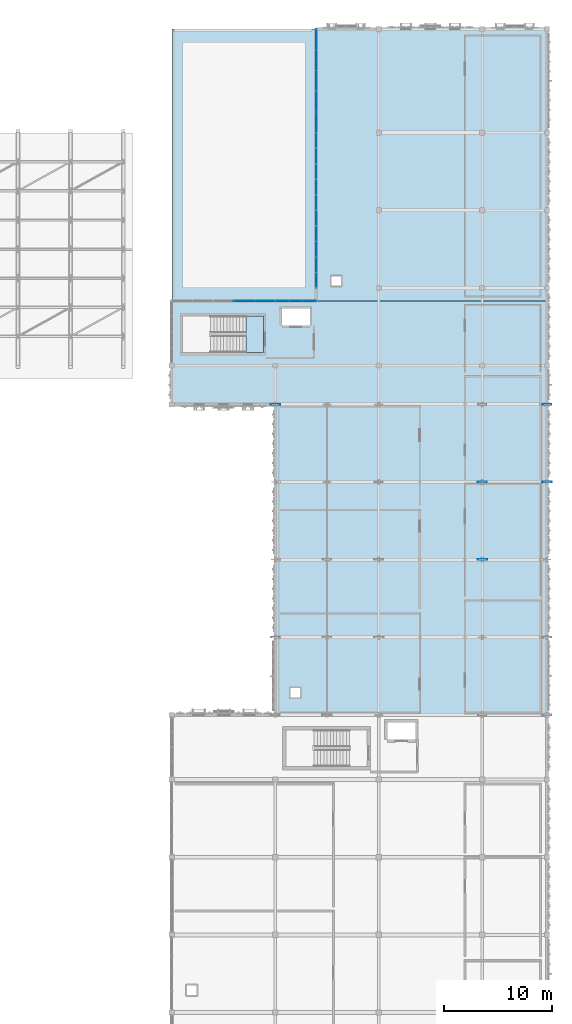
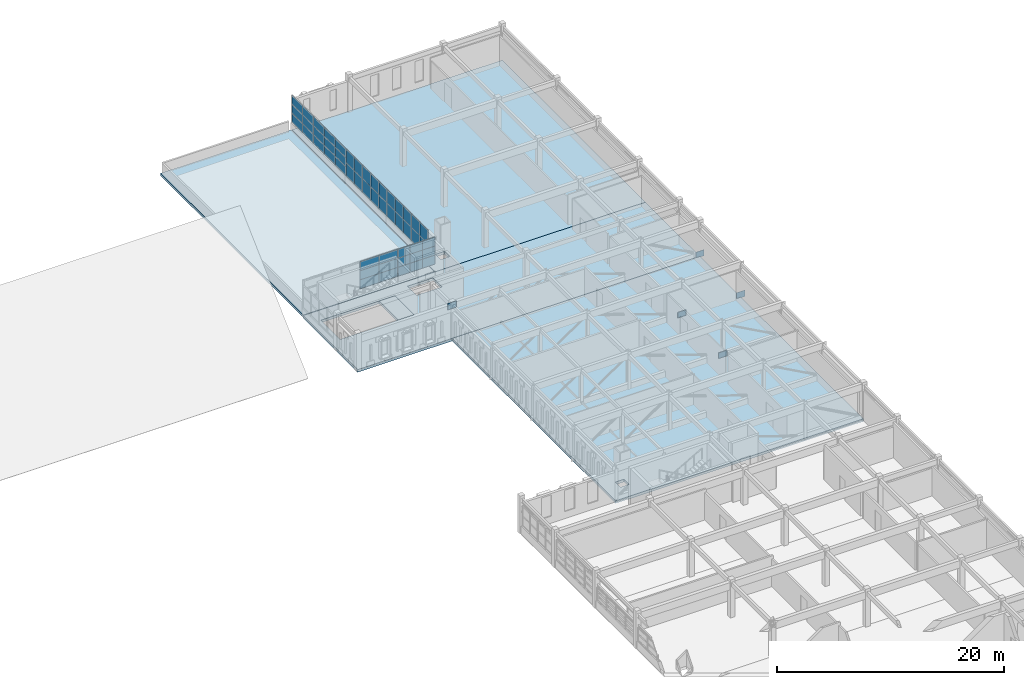
# One storey, part 39 of 79: 55 plates, 5 slabs, 5 elements without a shape of their own.
"""IFC4 building model written with IfcOpenShell, lengths in metres."""

from ifc_helpers import new_model, si_unit, direction, frame, origin, origin_2d, place, context, subcontext, project, spatial, polyline, rectangle, outline, extrude, material, layer, layer_set, type_object, element, aggregate, save


model = new_model("IFC4")

# Units and contexts
model_context = context("Model", 3, precision=1e-05, world=origin(), true_north=direction((0.0, 1.0)))
body_context = subcontext(model_context, "Body", "Model", "MODEL_VIEW")
ifc_project = project(units=[si_unit("LENGTHUNIT", "METRE"), si_unit("AREAUNIT", "SQUARE_METRE"), si_unit("VOLUMEUNIT", "CUBIC_METRE"), si_unit("PLANEANGLEUNIT", "RADIAN"), si_unit("MASSUNIT", "GRAM", prefix="KILO")], contexts=[model_context])

# Site, building, storey
site_placement = place(None, origin())
site = spatial("IfcSite", under=ifc_project, at=site_placement, CompositionType="ELEMENT")
building_placement = place(site_placement, origin())
building = spatial("IfcBuilding", under=site, at=building_placement, Name="Nzembalo Square Collegiate School", CompositionType="ELEMENT")
storey_placement = place(building_placement, frame((0.0, 0.0, 9.52001953125)))
storey = spatial("IfcBuildingStorey", under=building, at=storey_placement, Name="L02", CompositionType="ELEMENT", Elevation=9.52001953125)

# Curtain wall, plates
ifc_material_1 = material(Name="Aluminium 6060-T66", Category="aluminium")
curtain_wall_type_1 = type_object("IfcCurtainWallType", Name="CW-09", PredefinedType="USERDEFINED", material=ifc_material_1)
curtain_wall_1_placement = place(storey_placement, origin())
curtain_wall_1 = element("IfcCurtainWall", 1, at=curtain_wall_1_placement, inside=storey, type_object=curtain_wall_type_1, Name="Curtain wall CW-09 cw:L02:100", ObjectType="UNITISED", PredefinedType="USERDEFINED")
ifc_material_2 = material(Name="Laminated solar-control double glazing", Category="glass")
ifc_layer_1 = layer(ifc_material_2, 0.028076171875, Name="Laminated solar-control double glazing")
ifc_layer_set_1 = layer_set([ifc_layer_1], Name="Laminated solar-control double glazing")
plate_type_1 = type_object("IfcPlateType", Name="PN01", PredefinedType="CURTAIN_PANEL", material=ifc_layer_set_1)
plate_1_placement = place(storey_placement, frame((137.52001953125, 88.800048828125, 0.85400390625), z_axis=(0.0, 0.0, 1.0), x_axis=(1.0, 0.0, 0.0)))
plate_1 = element("IfcPlate", 2, at=plate_1_placement, type_object=plate_type_1, Name="PN01 glazed panel 1-4", PredefinedType="CURTAIN_PANEL", context=body_context, shape_type="SweptSolid", body=[
    extrude(rectangle(XDim=1.912109375, YDim=0.028076171875, at=origin_2d()), origin(), (0.0, 0.0, 1.0), 0.966552734375),
])
plate_2_placement = place(storey_placement, frame((139.43994140625, 88.800048828125, 0.85400390625), z_axis=(0.0, 0.0, 1.0), x_axis=(1.0, 0.0, 0.0)))
plate_2 = element("IfcPlate", 3, at=plate_2_placement, type_object=plate_type_1, Name="PN01 glazed panel 1-5", PredefinedType="CURTAIN_PANEL", context=body_context, shape_type="SweptSolid", body=[
    extrude(rectangle(XDim=1.912109375, YDim=0.028076171875, at=origin_2d()), origin(), (0.0, 0.0, 1.0), 0.966552734375),
])
plate_3_placement = place(storey_placement, frame((137.52001953125, 88.800048828125, 1.82861328125), z_axis=(0.0, 0.0, 1.0), x_axis=(1.0, 0.0, 0.0)))
plate_3 = element("IfcPlate", 4, at=plate_3_placement, type_object=plate_type_1, Name="PN01 glazed panel 2-4", PredefinedType="CURTAIN_PANEL", context=body_context, shape_type="SweptSolid", body=[
    extrude(rectangle(XDim=1.912109375, YDim=0.028076171875, at=origin_2d()), origin(), (0.0, 0.0, 1.0), 0.966552734375),
])
plate_4_placement = place(storey_placement, frame((139.43994140625, 88.800048828125, 1.82861328125), z_axis=(0.0, 0.0, 1.0), x_axis=(1.0, 0.0, 0.0)))
plate_4 = element("IfcPlate", 5, at=plate_4_placement, type_object=plate_type_1, Name="PN01 glazed panel 2-5", PredefinedType="CURTAIN_PANEL", context=body_context, shape_type="SweptSolid", body=[
    extrude(rectangle(XDim=1.912109375, YDim=0.028076171875, at=origin_2d()), origin(), (0.0, 0.0, 1.0), 0.966552734375),
])
plate_5_placement = place(storey_placement, frame((137.52001953125, 88.800048828125, 2.80322265625), z_axis=(0.0, 0.0, 1.0), x_axis=(1.0, 0.0, 0.0)))
plate_5 = element("IfcPlate", 6, at=plate_5_placement, type_object=plate_type_1, Name="PN01 glazed panel 3-4", PredefinedType="CURTAIN_PANEL", context=body_context, shape_type="SweptSolid", body=[
    extrude(rectangle(XDim=1.912109375, YDim=0.028076171875, at=origin_2d()), origin(), (0.0, 0.0, 1.0), 0.966552734375),
])
plate_6_placement = place(storey_placement, frame((139.43994140625, 88.800048828125, 2.80322265625), z_axis=(0.0, 0.0, 1.0), x_axis=(1.0, 0.0, 0.0)))
plate_6 = element("IfcPlate", 7, at=plate_6_placement, type_object=plate_type_1, Name="PN01 glazed panel 3-5", PredefinedType="CURTAIN_PANEL", context=body_context, shape_type="SweptSolid", body=[
    extrude(rectangle(XDim=1.912109375, YDim=0.028076171875, at=origin_2d()), origin(), (0.0, 0.0, 1.0), 0.966552734375),
])
aggregate(curtain_wall_1, [plate_1, plate_2, plate_3, plate_4, plate_5, plate_6])

curtain_wall_2_placement = place(storey_placement, origin())
curtain_wall_2 = element("IfcCurtainWall", 8, at=curtain_wall_2_placement, inside=storey, type_object=curtain_wall_type_1, Name="Curtain wall CW-09 cw:L02:104", ObjectType="UNITISED", PredefinedType="USERDEFINED")
plate_7_placement = place(storey_placement, frame((144.199951171875, 105.360107421875, 0.85400390625), z_axis=(0.0, 0.0, 1.0), x_axis=(0.0, 1.0, 0.0)))
plate_7 = element("IfcPlate", 9, at=plate_7_placement, type_object=plate_type_1, Name="PN01 glazed panel 1-1", PredefinedType="CURTAIN_PANEL", context=body_context, shape_type="SweptSolid", body=[
    extrude(rectangle(XDim=1.912109375, YDim=0.028076171875, at=origin_2d()), origin(), (0.0, 0.0, 1.0), 0.966552734375),
])
plate_8_placement = place(storey_placement, frame((144.199951171875, 107.280029296875, 0.85400390625), z_axis=(0.0, 0.0, 1.0), x_axis=(0.0, 1.0, 0.0)))
plate_8 = element("IfcPlate", 10, at=plate_8_placement, type_object=plate_type_1, Name="PN01 glazed panel 1-2", PredefinedType="CURTAIN_PANEL", context=body_context, shape_type="SweptSolid", body=[
    extrude(rectangle(XDim=1.912109375, YDim=0.028076171875, at=origin_2d()), origin(), (0.0, 0.0, 1.0), 0.966552734375),
])
plate_9_placement = place(storey_placement, frame((144.199951171875, 109.199951171875, 0.85400390625), z_axis=(0.0, 0.0, 1.0), x_axis=(0.0, 1.0, 0.0)))
plate_9 = element("IfcPlate", 11, at=plate_9_placement, type_object=plate_type_1, Name="PN01 glazed panel 1-3", PredefinedType="CURTAIN_PANEL", context=body_context, shape_type="SweptSolid", body=[
    extrude(rectangle(XDim=1.912109375, YDim=0.028076171875, at=origin_2d()), origin(), (0.0, 0.0, 1.0), 0.966552734375),
])
plate_10_placement = place(storey_placement, frame((144.199951171875, 111.1201171875, 0.85400390625), z_axis=(0.0, 0.0, 1.0), x_axis=(0.0, 1.0, 0.0)))
plate_10 = element("IfcPlate", 12, at=plate_10_placement, type_object=plate_type_1, Name="PN01 glazed panel 1-4", PredefinedType="CURTAIN_PANEL", context=body_context, shape_type="SweptSolid", body=[
    extrude(rectangle(XDim=1.912109375, YDim=0.028076171875, at=origin_2d()), origin(), (0.0, 0.0, 1.0), 0.966552734375),
])
plate_11_placement = place(storey_placement, frame((144.199951171875, 113.0400390625, 0.85400390625), z_axis=(0.0, 0.0, 1.0), x_axis=(0.0, 1.0, 0.0)))
plate_11 = element("IfcPlate", 13, at=plate_11_placement, type_object=plate_type_1, Name="PN01 glazed panel 1-5", PredefinedType="CURTAIN_PANEL", context=body_context, shape_type="SweptSolid", body=[
    extrude(rectangle(XDim=1.912109375, YDim=0.028076171875, at=origin_2d()), origin(), (0.0, 0.0, 1.0), 0.966552734375),
])
plate_12_placement = place(storey_placement, frame((144.199951171875, 105.360107421875, 1.82861328125), z_axis=(0.0, 0.0, 1.0), x_axis=(0.0, 1.0, 0.0)))
plate_12 = element("IfcPlate", 14, at=plate_12_placement, type_object=plate_type_1, Name="PN01 glazed panel 2-1", PredefinedType="CURTAIN_PANEL", context=body_context, shape_type="SweptSolid", body=[
    extrude(rectangle(XDim=1.912109375, YDim=0.028076171875, at=origin_2d()), origin(), (0.0, 0.0, 1.0), 0.966552734375),
])
plate_13_placement = place(storey_placement, frame((144.199951171875, 107.280029296875, 1.82861328125), z_axis=(0.0, 0.0, 1.0), x_axis=(0.0, 1.0, 0.0)))
plate_13 = element("IfcPlate", 15, at=plate_13_placement, type_object=plate_type_1, Name="PN01 glazed panel 2-2", PredefinedType="CURTAIN_PANEL", context=body_context, shape_type="SweptSolid", body=[
    extrude(rectangle(XDim=1.912109375, YDim=0.028076171875, at=origin_2d()), origin(), (0.0, 0.0, 1.0), 0.966552734375),
])
plate_14_placement = place(storey_placement, frame((144.199951171875, 109.199951171875, 1.82861328125), z_axis=(0.0, 0.0, 1.0), x_axis=(0.0, 1.0, 0.0)))
plate_14 = element("IfcPlate", 16, at=plate_14_placement, type_object=plate_type_1, Name="PN01 glazed panel 2-3", PredefinedType="CURTAIN_PANEL", context=body_context, shape_type="SweptSolid", body=[
    extrude(rectangle(XDim=1.912109375, YDim=0.028076171875, at=origin_2d()), origin(), (0.0, 0.0, 1.0), 0.966552734375),
])
plate_15_placement = place(storey_placement, frame((144.199951171875, 111.1201171875, 1.82861328125), z_axis=(0.0, 0.0, 1.0), x_axis=(0.0, 1.0, 0.0)))
plate_15 = element("IfcPlate", 17, at=plate_15_placement, type_object=plate_type_1, Name="PN01 glazed panel 2-4", PredefinedType="CURTAIN_PANEL", context=body_context, shape_type="SweptSolid", body=[
    extrude(rectangle(XDim=1.912109375, YDim=0.028076171875, at=origin_2d()), origin(), (0.0, 0.0, 1.0), 0.966552734375),
])
plate_16_placement = place(storey_placement, frame((144.199951171875, 113.0400390625, 1.82861328125), z_axis=(0.0, 0.0, 1.0), x_axis=(0.0, 1.0, 0.0)))
plate_16 = element("IfcPlate", 18, at=plate_16_placement, type_object=plate_type_1, Name="PN01 glazed panel 2-5", PredefinedType="CURTAIN_PANEL", context=body_context, shape_type="SweptSolid", body=[
    extrude(rectangle(XDim=1.912109375, YDim=0.028076171875, at=origin_2d()), origin(), (0.0, 0.0, 1.0), 0.966552734375),
])
plate_17_placement = place(storey_placement, frame((144.199951171875, 105.360107421875, 2.80322265625), z_axis=(0.0, 0.0, 1.0), x_axis=(0.0, 1.0, 0.0)))
plate_17 = element("IfcPlate", 19, at=plate_17_placement, type_object=plate_type_1, Name="PN01 glazed panel 3-1", PredefinedType="CURTAIN_PANEL", context=body_context, shape_type="SweptSolid", body=[
    extrude(rectangle(XDim=1.912109375, YDim=0.028076171875, at=origin_2d()), origin(), (0.0, 0.0, 1.0), 0.966552734375),
])
plate_18_placement = place(storey_placement, frame((144.199951171875, 107.280029296875, 2.80322265625), z_axis=(0.0, 0.0, 1.0), x_axis=(0.0, 1.0, 0.0)))
plate_18 = element("IfcPlate", 20, at=plate_18_placement, type_object=plate_type_1, Name="PN01 glazed panel 3-2", PredefinedType="CURTAIN_PANEL", context=body_context, shape_type="SweptSolid", body=[
    extrude(rectangle(XDim=1.912109375, YDim=0.028076171875, at=origin_2d()), origin(), (0.0, 0.0, 1.0), 0.966552734375),
])
plate_19_placement = place(storey_placement, frame((144.199951171875, 109.199951171875, 2.80322265625), z_axis=(0.0, 0.0, 1.0), x_axis=(0.0, 1.0, 0.0)))
plate_19 = element("IfcPlate", 21, at=plate_19_placement, type_object=plate_type_1, Name="PN01 glazed panel 3-3", PredefinedType="CURTAIN_PANEL", context=body_context, shape_type="SweptSolid", body=[
    extrude(rectangle(XDim=1.912109375, YDim=0.028076171875, at=origin_2d()), origin(), (0.0, 0.0, 1.0), 0.966552734375),
])
plate_20_placement = place(storey_placement, frame((144.199951171875, 111.1201171875, 2.80322265625), z_axis=(0.0, 0.0, 1.0), x_axis=(0.0, 1.0, 0.0)))
plate_20 = element("IfcPlate", 22, at=plate_20_placement, type_object=plate_type_1, Name="PN01 glazed panel 3-4", PredefinedType="CURTAIN_PANEL", context=body_context, shape_type="SweptSolid", body=[
    extrude(rectangle(XDim=1.912109375, YDim=0.028076171875, at=origin_2d()), origin(), (0.0, 0.0, 1.0), 0.966552734375),
])
plate_21_placement = place(storey_placement, frame((144.199951171875, 113.0400390625, 2.80322265625), z_axis=(0.0, 0.0, 1.0), x_axis=(0.0, 1.0, 0.0)))
plate_21 = element("IfcPlate", 23, at=plate_21_placement, type_object=plate_type_1, Name="PN01 glazed panel 3-5", PredefinedType="CURTAIN_PANEL", context=body_context, shape_type="SweptSolid", body=[
    extrude(rectangle(XDim=1.912109375, YDim=0.028076171875, at=origin_2d()), origin(), (0.0, 0.0, 1.0), 0.966552734375),
])
aggregate(curtain_wall_2, [plate_7, plate_8, plate_9, plate_10, plate_11, plate_12, plate_13, plate_14, plate_15, plate_16, plate_17, plate_18, plate_19, plate_20, plate_21])

ifc_material_3 = material(Name="Aluminium 6060-T66", Category="aluminium")
curtain_wall_type_2 = type_object("IfcCurtainWallType", Name="CW-14", PredefinedType="USERDEFINED", material=ifc_material_3)
curtain_wall_3_placement = place(storey_placement, origin())
curtain_wall_3 = element("IfcCurtainWall", 24, at=curtain_wall_3_placement, inside=storey, type_object=curtain_wall_type_2, Name="Curtain wall CW-14 cw:L02:101", ObjectType="UNITISED", PredefinedType="USERDEFINED")
ifc_material_4 = material(Name="Acoustic laminated solar-control glazing", Category="glass")
ifc_layer_2 = layer(ifc_material_4, 0.031982421875, Name="Acoustic laminated solar-control glazing")
ifc_layer_set_2 = layer_set([ifc_layer_2], Name="Acoustic laminated solar-control glazing")
plate_type_2 = type_object("IfcPlateType", Name="PN02", PredefinedType="CURTAIN_PANEL", material=ifc_layer_set_2)
plate_22_placement = place(storey_placement, frame((141.033447265625, 88.800048828125, 0.85400390625), z_axis=(0.0, 0.0, 1.0), x_axis=(1.0, 0.0, 0.0)))
plate_22 = element("IfcPlate", 25, at=plate_22_placement, type_object=plate_type_2, Name="PN02 glazed panel 1-1", PredefinedType="CURTAIN_PANEL", context=body_context, shape_type="SweptSolid", body=[
    extrude(rectangle(XDim=1.2587890625, YDim=0.031982421875, at=origin_2d()), origin(), (0.0, 0.0, 1.0), 0.966552734375),
])
plate_23_placement = place(storey_placement, frame((142.300048828125, 88.800048828125, 0.85400390625), z_axis=(0.0, 0.0, 1.0), x_axis=(1.0, 0.0, 0.0)))
plate_23 = element("IfcPlate", 26, at=plate_23_placement, type_object=plate_type_2, Name="PN02 glazed panel 1-2", PredefinedType="CURTAIN_PANEL", context=body_context, shape_type="SweptSolid", body=[
    extrude(rectangle(XDim=1.258544921875, YDim=0.031982421875, at=origin_2d()), origin(), (0.0, 0.0, 1.0), 0.966552734375),
])
plate_24_placement = place(storey_placement, frame((143.566650390625, 88.800048828125, 0.85400390625), z_axis=(0.0, 0.0, 1.0), x_axis=(1.0, 0.0, 0.0)))
plate_24 = element("IfcPlate", 27, at=plate_24_placement, type_object=plate_type_2, Name="PN02 glazed panel 1-3", PredefinedType="CURTAIN_PANEL", context=body_context, shape_type="SweptSolid", body=[
    extrude(rectangle(XDim=1.2587890625, YDim=0.031982421875, at=origin_2d()), origin(), (0.0, 0.0, 1.0), 0.966552734375),
])
plate_25_placement = place(storey_placement, frame((141.033447265625, 88.800048828125, 1.82861328125), z_axis=(0.0, 0.0, 1.0), x_axis=(1.0, 0.0, 0.0)))
plate_25 = element("IfcPlate", 28, at=plate_25_placement, type_object=plate_type_2, Name="PN02 glazed panel 2-1", PredefinedType="CURTAIN_PANEL", context=body_context, shape_type="SweptSolid", body=[
    extrude(rectangle(XDim=1.2587890625, YDim=0.031982421875, at=origin_2d()), origin(), (0.0, 0.0, 1.0), 0.966552734375),
])
plate_26_placement = place(storey_placement, frame((142.300048828125, 88.800048828125, 1.82861328125), z_axis=(0.0, 0.0, 1.0), x_axis=(1.0, 0.0, 0.0)))
plate_26 = element("IfcPlate", 29, at=plate_26_placement, type_object=plate_type_2, Name="PN02 glazed panel 2-2", PredefinedType="CURTAIN_PANEL", context=body_context, shape_type="SweptSolid", body=[
    extrude(rectangle(XDim=1.258544921875, YDim=0.031982421875, at=origin_2d()), origin(), (0.0, 0.0, 1.0), 0.966552734375),
])
plate_27_placement = place(storey_placement, frame((143.566650390625, 88.800048828125, 1.82861328125), z_axis=(0.0, 0.0, 1.0), x_axis=(1.0, 0.0, 0.0)))
plate_27 = element("IfcPlate", 30, at=plate_27_placement, type_object=plate_type_2, Name="PN02 glazed panel 2-3", PredefinedType="CURTAIN_PANEL", context=body_context, shape_type="SweptSolid", body=[
    extrude(rectangle(XDim=1.2587890625, YDim=0.031982421875, at=origin_2d()), origin(), (0.0, 0.0, 1.0), 0.966552734375),
])
plate_28_placement = place(storey_placement, frame((141.033447265625, 88.800048828125, 2.80322265625), z_axis=(0.0, 0.0, 1.0), x_axis=(1.0, 0.0, 0.0)))
plate_28 = element("IfcPlate", 31, at=plate_28_placement, type_object=plate_type_2, Name="PN02 glazed panel 3-1", PredefinedType="CURTAIN_PANEL", context=body_context, shape_type="SweptSolid", body=[
    extrude(rectangle(XDim=1.2587890625, YDim=0.031982421875, at=origin_2d()), origin(), (0.0, 0.0, 1.0), 0.966552734375),
])
plate_29_placement = place(storey_placement, frame((142.300048828125, 88.800048828125, 2.80322265625), z_axis=(0.0, 0.0, 1.0), x_axis=(1.0, 0.0, 0.0)))
plate_29 = element("IfcPlate", 32, at=plate_29_placement, type_object=plate_type_2, Name="PN02 glazed panel 3-2", PredefinedType="CURTAIN_PANEL", context=body_context, shape_type="SweptSolid", body=[
    extrude(rectangle(XDim=1.258544921875, YDim=0.031982421875, at=origin_2d()), origin(), (0.0, 0.0, 1.0), 0.966552734375),
])
plate_30_placement = place(storey_placement, frame((143.566650390625, 88.800048828125, 2.80322265625), z_axis=(0.0, 0.0, 1.0), x_axis=(1.0, 0.0, 0.0)))
plate_30 = element("IfcPlate", 33, at=plate_30_placement, type_object=plate_type_2, Name="PN02 glazed panel 3-3", PredefinedType="CURTAIN_PANEL", context=body_context, shape_type="SweptSolid", body=[
    extrude(rectangle(XDim=1.2587890625, YDim=0.031982421875, at=origin_2d()), origin(), (0.0, 0.0, 1.0), 0.966552734375),
])
aggregate(curtain_wall_3, [plate_22, plate_23, plate_24, plate_25, plate_26, plate_27, plate_28, plate_29, plate_30])

ifc_material_5 = material(Name="Aluminium 6060-T66", Category="aluminium")
curtain_wall_type_3 = type_object("IfcCurtainWallType", Name="CW-11", PredefinedType="USERDEFINED", material=ifc_material_5)
curtain_wall_4_placement = place(storey_placement, origin())
curtain_wall_4 = element("IfcCurtainWall", 34, at=curtain_wall_4_placement, inside=storey, type_object=curtain_wall_type_3, Name="Curtain wall CW-11 cw:L02:102", ObjectType="LANCET", PredefinedType="USERDEFINED")
plate_31_placement = place(storey_placement, frame((144.199951171875, 90.719970703125, 0.85400390625), z_axis=(0.0, 0.0, 1.0), x_axis=(0.0, 1.0, 0.0)))
plate_31 = element("IfcPlate", 35, at=plate_31_placement, type_object=plate_type_2, Name="PN02 glazed panel 1-1", PredefinedType="CURTAIN_PANEL", context=body_context, shape_type="SweptSolid", body=[
    extrude(rectangle(XDim=1.431884765625, YDim=0.031982421875, at=origin_2d()), origin(), (0.0, 0.0, 1.0), 1.4541015625),
])
plate_32_placement = place(storey_placement, frame((144.199951171875, 92.159912109375, 0.85400390625), z_axis=(0.0, 0.0, 1.0), x_axis=(0.0, 1.0, 0.0)))
plate_32 = element("IfcPlate", 36, at=plate_32_placement, type_object=plate_type_2, Name="PN02 glazed panel 1-2", PredefinedType="CURTAIN_PANEL", context=body_context, shape_type="SweptSolid", body=[
    extrude(rectangle(XDim=1.431884765625, YDim=0.031982421875, at=origin_2d()), origin(), (0.0, 0.0, 1.0), 1.4541015625),
])
plate_33_placement = place(storey_placement, frame((144.199951171875, 93.60009765625, 0.85400390625), z_axis=(0.0, 0.0, 1.0), x_axis=(0.0, 1.0, 0.0)))
plate_33 = element("IfcPlate", 37, at=plate_33_placement, type_object=plate_type_2, Name="PN02 glazed panel 1-3", PredefinedType="CURTAIN_PANEL", context=body_context, shape_type="SweptSolid", body=[
    extrude(rectangle(XDim=1.431884765625, YDim=0.031982421875, at=origin_2d()), origin(), (0.0, 0.0, 1.0), 1.4541015625),
])
plate_34_placement = place(storey_placement, frame((144.199951171875, 95.0400390625, 0.85400390625), z_axis=(0.0, 0.0, 1.0), x_axis=(0.0, 1.0, 0.0)))
plate_34 = element("IfcPlate", 38, at=plate_34_placement, type_object=plate_type_2, Name="PN02 glazed panel 1-4", PredefinedType="CURTAIN_PANEL", context=body_context, shape_type="SweptSolid", body=[
    extrude(rectangle(XDim=1.431884765625, YDim=0.031982421875, at=origin_2d()), origin(), (0.0, 0.0, 1.0), 1.4541015625),
])
plate_35_placement = place(storey_placement, frame((144.199951171875, 96.47998046875, 0.85400390625), z_axis=(0.0, 0.0, 1.0), x_axis=(0.0, 1.0, 0.0)))
plate_35 = element("IfcPlate", 39, at=plate_35_placement, type_object=plate_type_2, Name="PN02 glazed panel 1-5", PredefinedType="CURTAIN_PANEL", context=body_context, shape_type="SweptSolid", body=[
    extrude(rectangle(XDim=1.431884765625, YDim=0.031982421875, at=origin_2d()), origin(), (0.0, 0.0, 1.0), 1.4541015625),
])
plate_36_placement = place(storey_placement, frame((144.199951171875, 90.719970703125, 2.31591796875), z_axis=(0.0, 0.0, 1.0), x_axis=(0.0, 1.0, 0.0)))
plate_36 = element("IfcPlate", 40, at=plate_36_placement, type_object=plate_type_2, Name="PN02 glazed panel 2-1", PredefinedType="CURTAIN_PANEL", context=body_context, shape_type="SweptSolid", body=[
    extrude(rectangle(XDim=1.431884765625, YDim=0.031982421875, at=origin_2d()), origin(), (0.0, 0.0, 1.0), 1.4541015625),
])
plate_37_placement = place(storey_placement, frame((144.199951171875, 92.159912109375, 2.31591796875), z_axis=(0.0, 0.0, 1.0), x_axis=(0.0, 1.0, 0.0)))
plate_37 = element("IfcPlate", 41, at=plate_37_placement, type_object=plate_type_2, Name="PN02 glazed panel 2-2", PredefinedType="CURTAIN_PANEL", context=body_context, shape_type="SweptSolid", body=[
    extrude(rectangle(XDim=1.431884765625, YDim=0.031982421875, at=origin_2d()), origin(), (0.0, 0.0, 1.0), 1.4541015625),
])
plate_38_placement = place(storey_placement, frame((144.199951171875, 93.60009765625, 2.31591796875), z_axis=(0.0, 0.0, 1.0), x_axis=(0.0, 1.0, 0.0)))
plate_38 = element("IfcPlate", 42, at=plate_38_placement, type_object=plate_type_2, Name="PN02 glazed panel 2-3", PredefinedType="CURTAIN_PANEL", context=body_context, shape_type="SweptSolid", body=[
    extrude(rectangle(XDim=1.431884765625, YDim=0.031982421875, at=origin_2d()), origin(), (0.0, 0.0, 1.0), 1.4541015625),
])
plate_39_placement = place(storey_placement, frame((144.199951171875, 95.0400390625, 2.31591796875), z_axis=(0.0, 0.0, 1.0), x_axis=(0.0, 1.0, 0.0)))
plate_39 = element("IfcPlate", 43, at=plate_39_placement, type_object=plate_type_2, Name="PN02 glazed panel 2-4", PredefinedType="CURTAIN_PANEL", context=body_context, shape_type="SweptSolid", body=[
    extrude(rectangle(XDim=1.431884765625, YDim=0.031982421875, at=origin_2d()), origin(), (0.0, 0.0, 1.0), 1.4541015625),
])
plate_40_placement = place(storey_placement, frame((144.199951171875, 96.47998046875, 2.31591796875), z_axis=(0.0, 0.0, 1.0), x_axis=(0.0, 1.0, 0.0)))
plate_40 = element("IfcPlate", 44, at=plate_40_placement, type_object=plate_type_2, Name="PN02 glazed panel 2-5", PredefinedType="CURTAIN_PANEL", context=body_context, shape_type="SweptSolid", body=[
    extrude(rectangle(XDim=1.431884765625, YDim=0.031982421875, at=origin_2d()), origin(), (0.0, 0.0, 1.0), 1.4541015625),
])
aggregate(curtain_wall_4, [plate_31, plate_32, plate_33, plate_34, plate_35, plate_36, plate_37, plate_38, plate_39, plate_40])

ifc_material_6 = material(Name="Aluminium 6060-T66", Category="aluminium")
curtain_wall_type_4 = type_object("IfcCurtainWallType", Name="CW-12", PredefinedType="USERDEFINED", material=ifc_material_6)
curtain_wall_5_placement = place(storey_placement, origin())
curtain_wall_5 = element("IfcCurtainWall", 45, at=curtain_wall_5_placement, inside=storey, type_object=curtain_wall_type_4, Name="Curtain wall CW-12 cw:L02:103", ObjectType="LANCET", PredefinedType="USERDEFINED")
plate_41_placement = place(storey_placement, frame((144.199951171875, 97.919921875, 0.85400390625), z_axis=(0.0, 0.0, 1.0), x_axis=(0.0, 1.0, 0.0)))
plate_41 = element("IfcPlate", 46, at=plate_41_placement, type_object=plate_type_2, Name="PN02 glazed panel 1-1", PredefinedType="CURTAIN_PANEL", context=body_context, shape_type="SweptSolid", body=[
    extrude(rectangle(XDim=1.431884765625, YDim=0.031982421875, at=origin_2d()), origin(), (0.0, 0.0, 1.0), 1.4541015625),
])
plate_42_placement = place(storey_placement, frame((144.199951171875, 99.360107421875, 0.85400390625), z_axis=(0.0, 0.0, 1.0), x_axis=(0.0, 1.0, 0.0)))
plate_42 = element("IfcPlate", 47, at=plate_42_placement, type_object=plate_type_2, Name="PN02 glazed panel 1-2", PredefinedType="CURTAIN_PANEL", context=body_context, shape_type="SweptSolid", body=[
    extrude(rectangle(XDim=1.431884765625, YDim=0.031982421875, at=origin_2d()), origin(), (0.0, 0.0, 1.0), 1.4541015625),
])
plate_43_placement = place(storey_placement, frame((144.199951171875, 100.800048828125, 0.85400390625), z_axis=(0.0, 0.0, 1.0), x_axis=(0.0, 1.0, 0.0)))
plate_43 = element("IfcPlate", 48, at=plate_43_placement, type_object=plate_type_2, Name="PN02 glazed panel 1-3", PredefinedType="CURTAIN_PANEL", context=body_context, shape_type="SweptSolid", body=[
    extrude(rectangle(XDim=1.431884765625, YDim=0.031982421875, at=origin_2d()), origin(), (0.0, 0.0, 1.0), 1.4541015625),
])
plate_44_placement = place(storey_placement, frame((144.199951171875, 102.239990234375, 0.85400390625), z_axis=(0.0, 0.0, 1.0), x_axis=(0.0, 1.0, 0.0)))
plate_44 = element("IfcPlate", 49, at=plate_44_placement, type_object=plate_type_2, Name="PN02 glazed panel 1-4", PredefinedType="CURTAIN_PANEL", context=body_context, shape_type="SweptSolid", body=[
    extrude(rectangle(XDim=1.431884765625, YDim=0.031982421875, at=origin_2d()), origin(), (0.0, 0.0, 1.0), 1.4541015625),
])
plate_45_placement = place(storey_placement, frame((144.199951171875, 103.679931640625, 0.85400390625), z_axis=(0.0, 0.0, 1.0), x_axis=(0.0, 1.0, 0.0)))
plate_45 = element("IfcPlate", 50, at=plate_45_placement, type_object=plate_type_2, Name="PN02 glazed panel 1-5", PredefinedType="CURTAIN_PANEL", context=body_context, shape_type="SweptSolid", body=[
    extrude(rectangle(XDim=1.431884765625, YDim=0.031982421875, at=origin_2d()), origin(), (0.0, 0.0, 1.0), 1.4541015625),
])
plate_46_placement = place(storey_placement, frame((144.199951171875, 97.919921875, 2.31591796875), z_axis=(0.0, 0.0, 1.0), x_axis=(0.0, 1.0, 0.0)))
plate_46 = element("IfcPlate", 51, at=plate_46_placement, type_object=plate_type_2, Name="PN02 glazed panel 2-1", PredefinedType="CURTAIN_PANEL", context=body_context, shape_type="SweptSolid", body=[
    extrude(rectangle(XDim=1.431884765625, YDim=0.031982421875, at=origin_2d()), origin(), (0.0, 0.0, 1.0), 1.4541015625),
])
plate_47_placement = place(storey_placement, frame((144.199951171875, 99.360107421875, 2.31591796875), z_axis=(0.0, 0.0, 1.0), x_axis=(0.0, 1.0, 0.0)))
plate_47 = element("IfcPlate", 52, at=plate_47_placement, type_object=plate_type_2, Name="PN02 glazed panel 2-2", PredefinedType="CURTAIN_PANEL", context=body_context, shape_type="SweptSolid", body=[
    extrude(rectangle(XDim=1.431884765625, YDim=0.031982421875, at=origin_2d()), origin(), (0.0, 0.0, 1.0), 1.4541015625),
])
plate_48_placement = place(storey_placement, frame((144.199951171875, 100.800048828125, 2.31591796875), z_axis=(0.0, 0.0, 1.0), x_axis=(0.0, 1.0, 0.0)))
plate_48 = element("IfcPlate", 53, at=plate_48_placement, type_object=plate_type_2, Name="PN02 glazed panel 2-3", PredefinedType="CURTAIN_PANEL", context=body_context, shape_type="SweptSolid", body=[
    extrude(rectangle(XDim=1.431884765625, YDim=0.031982421875, at=origin_2d()), origin(), (0.0, 0.0, 1.0), 1.4541015625),
])
plate_49_placement = place(storey_placement, frame((144.199951171875, 102.239990234375, 2.31591796875), z_axis=(0.0, 0.0, 1.0), x_axis=(0.0, 1.0, 0.0)))
plate_49 = element("IfcPlate", 54, at=plate_49_placement, type_object=plate_type_2, Name="PN02 glazed panel 2-4", PredefinedType="CURTAIN_PANEL", context=body_context, shape_type="SweptSolid", body=[
    extrude(rectangle(XDim=1.431884765625, YDim=0.031982421875, at=origin_2d()), origin(), (0.0, 0.0, 1.0), 1.4541015625),
])
plate_50_placement = place(storey_placement, frame((144.199951171875, 103.679931640625, 2.31591796875), z_axis=(0.0, 0.0, 1.0), x_axis=(0.0, 1.0, 0.0)))
plate_50 = element("IfcPlate", 55, at=plate_50_placement, type_object=plate_type_2, Name="PN02 glazed panel 2-5", PredefinedType="CURTAIN_PANEL", context=body_context, shape_type="SweptSolid", body=[
    extrude(rectangle(XDim=1.431884765625, YDim=0.031982421875, at=origin_2d()), origin(), (0.0, 0.0, 1.0), 1.4541015625),
])
aggregate(curtain_wall_5, [plate_41, plate_42, plate_43, plate_44, plate_45, plate_46, plate_47, plate_48, plate_49, plate_50])

# Plates
ifc_material_7 = material(Name="Steel S355", Category="steel")
ifc_layer_3 = layer(ifc_material_7, 0.033935546875, Name="Steel S355")
ifc_layer_set_3 = layer_set([ifc_layer_3], Name="Steel S355")
plate_type_3 = type_object("IfcPlateType", Name="KN01", PredefinedType="SHEET", material=ifc_layer_set_3)
for number, where, z_axis, x_axis, name in (
    (56, (159.60009765625, 64.800048828125, -0.080078125), (0.0, 0.0, 1.0), (1.0, 0.0, 0.0), "TT-4B-03 transfer gusset plate KN01"),
    (57, (165.60009765625, 72.0, -0.080078125), (0.0, 0.0, 1.0), (1.0, 0.0, 0.0), "TT-4B-04 transfer gusset plate KN01"),
    (58, (140.39990234375, 79.199951171875, 3.22021484375), (0.0, 0.0, 1.0), (1.0, 0.0, 0.0), "TT-4B-05 transfer gusset plate KN01"),
):
    element("IfcPlate", number, at=place(storey_placement, frame(where, z_axis=z_axis, x_axis=x_axis)), inside=storey, type_object=plate_type_3, Name=name, PredefinedType="SHEET", context=body_context, shape_type="SweptSolid", body=[
        extrude(rectangle(XDim=0.8798828125, YDim=0.033935546875, at=origin_2d()), origin(), (0.0, 0.0, 1.0), 0.679931640625),
    ])
ifc_material_8 = material(Name="Steel S355", Category="steel")
ifc_layer_4 = layer(ifc_material_8, 0.031982421875, Name="Steel S355")
ifc_layer_set_4 = layer_set([ifc_layer_4], Name="Steel S355")
plate_type_4 = type_object("IfcPlateType", Name="KN02", PredefinedType="SHEET", material=ifc_layer_set_4)
for number, where, z_axis, x_axis, name in (
    (59, (159.60009765625, 72.0, -0.06005859375), (0.0, 0.0, 1.0), (1.0, 0.0, 0.0), "TT-4B-04 transfer gusset plate KN02"),
    (60, (165.60009765625, 79.199951171875, -0.06005859375), (0.0, 0.0, 1.0), (1.0, 0.0, 0.0), "TT-4B-05 transfer gusset plate KN02"),
):
    element("IfcPlate", number, at=place(storey_placement, frame(where, z_axis=z_axis, x_axis=x_axis)), inside=storey, type_object=plate_type_4, Name=name, PredefinedType="SHEET", context=body_context, shape_type="SweptSolid", body=[
        extrude(rectangle(XDim=0.820068359375, YDim=0.031982421875, at=origin_2d()), origin(), (0.0, 0.0, 1.0), 0.639892578125),
    ])

# Slabs
ifc_material_9 = material(Name="CLT CL24", Category="wood")
ifc_layer_5 = layer(ifc_material_9, 0.27001953125, Name="CLT CL24")
ifc_layer_set_5 = layer_set([ifc_layer_5], Name="CLT CL24")
slab_type_1 = type_object("IfcSlabType", Name="RS-F27", PredefinedType="ROOF", material=ifc_layer_set_5)
slab_1_placement = place(storey_placement, frame((0.0, 0.0, -0.27001953125)))
element("IfcSlab", 61, at=slab_1_placement, inside=storey, type_object=slab_type_1, Name="Step roof slab RS-L02-ENW", PredefinedType="ROOF", context=body_context, shape_type="SweptSolid", body=[
    extrude(outline(polyline([(130.840087890625, 88.840087890625), (144.159912109375, 88.840087890625), (144.159912109375, 114.0), (130.840087890625, 114.0), (130.840087890625, 88.840087890625)])), origin(), (0.0, 0.0, 1.0), 0.27001953125),
])
ifc_material_10 = material(Name="CLT CL24", Category="wood")
ifc_layer_6 = layer(ifc_material_10, 0.278076171875, Name="CLT CL24")
ifc_layer_set_6 = layer_set([ifc_layer_6], Name="CLT CL24")
slab_type_2 = type_object("IfcSlabType", Name="SL-02", PredefinedType="FLOOR", material=ifc_layer_set_6)
slab_2_placement = place(storey_placement, frame((0.0, 0.0, -0.278076171875)))
element("IfcSlab", 62, at=slab_2_placement, inside=storey, type_object=slab_type_2, Name="Slab SL-L02-57", PredefinedType="FLOOR", context=body_context, shape_type="SweptSolid", body=[
    extrude(outline(polyline([(140.39990234375, 50.39990234375), (165.60009765625, 50.39990234375), (165.60009765625, 79.199951171875), (140.39990234375, 79.199951171875), (140.39990234375, 50.39990234375)]), holes=[polyline([(141.800048828125, 52.0), (142.699951171875, 52.0), (142.699951171875, 52.89990234375), (141.800048828125, 52.89990234375), (141.800048828125, 52.0)])]), origin(), (0.0, 0.0, 1.0), 0.278076171875),
])
slab_3_placement = place(storey_placement, frame((0.0, 0.0, -0.278076171875)))
element("IfcSlab", 63, at=slab_3_placement, inside=storey, type_object=slab_type_2, Name="Slab SL-L02-58", PredefinedType="FLOOR", context=body_context, shape_type="SweptSolid", body=[
    extrude(outline(polyline([(130.800048828125, 79.199951171875), (165.60009765625, 79.199951171875), (165.60009765625, 88.800048828125), (130.800048828125, 88.800048828125), (130.800048828125, 79.199951171875)]), holes=[polyline([(141.0, 86.5), (143.60009765625, 86.5), (143.60009765625, 88.10009765625), (141.0, 88.10009765625), (141.0, 86.5)]), polyline([(139.300048828125, 87.39990234375), (131.800048828125, 87.39990234375), (131.800048828125, 84.0), (139.300048828125, 84.0), (139.300048828125, 87.39990234375)])]), origin(), (0.0, 0.0, 1.0), 0.278076171875),
])
slab_4_placement = place(storey_placement, frame((0.0, 0.0, -0.278076171875)))
element("IfcSlab", 64, at=slab_4_placement, inside=storey, type_object=slab_type_2, Name="Core C4 floor landing slab SL-L02-C4", PredefinedType="FLOOR", context=body_context, shape_type="SweptSolid", body=[
    extrude(outline(polyline([(137.699951171875, 84.0), (139.300048828125, 84.0), (139.300048828125, 87.39990234375), (137.699951171875, 87.39990234375), (137.699951171875, 84.0)])), origin(), (0.0, 0.0, 1.0), 0.278076171875),
])
ifc_material_11 = material(Name="Concrete C30/37", Category="concrete")
ifc_layer_7 = layer(ifc_material_11, 0.2919921875, Name="Concrete C30/37")
ifc_layer_set_7 = layer_set([ifc_layer_7], Name="Concrete C30/37")
slab_type_3 = type_object("IfcSlabType", Name="SL-02L", PredefinedType="FLOOR", material=ifc_layer_set_7)
slab_5_placement = place(storey_placement, frame((0.0, 0.0, -0.2919921875)))
element("IfcSlab", 65, at=slab_5_placement, inside=storey, type_object=slab_type_3, Name="Slab SL-L02-59", PredefinedType="FLOOR", context=body_context, shape_type="SweptSolid", body=[
    extrude(outline(polyline([(144.199951171875, 88.800048828125), (165.60009765625, 88.800048828125), (165.60009765625, 114.0), (144.199951171875, 114.0), (144.199951171875, 88.800048828125)]), holes=[polyline([(145.60009765625, 90.199951171875), (146.5, 90.199951171875), (146.5, 91.10009765625), (145.60009765625, 91.10009765625), (145.60009765625, 90.199951171875)])]), origin(), (0.0, 0.0, 1.0), 0.2919921875),
])

save(model, "model.ifc")
